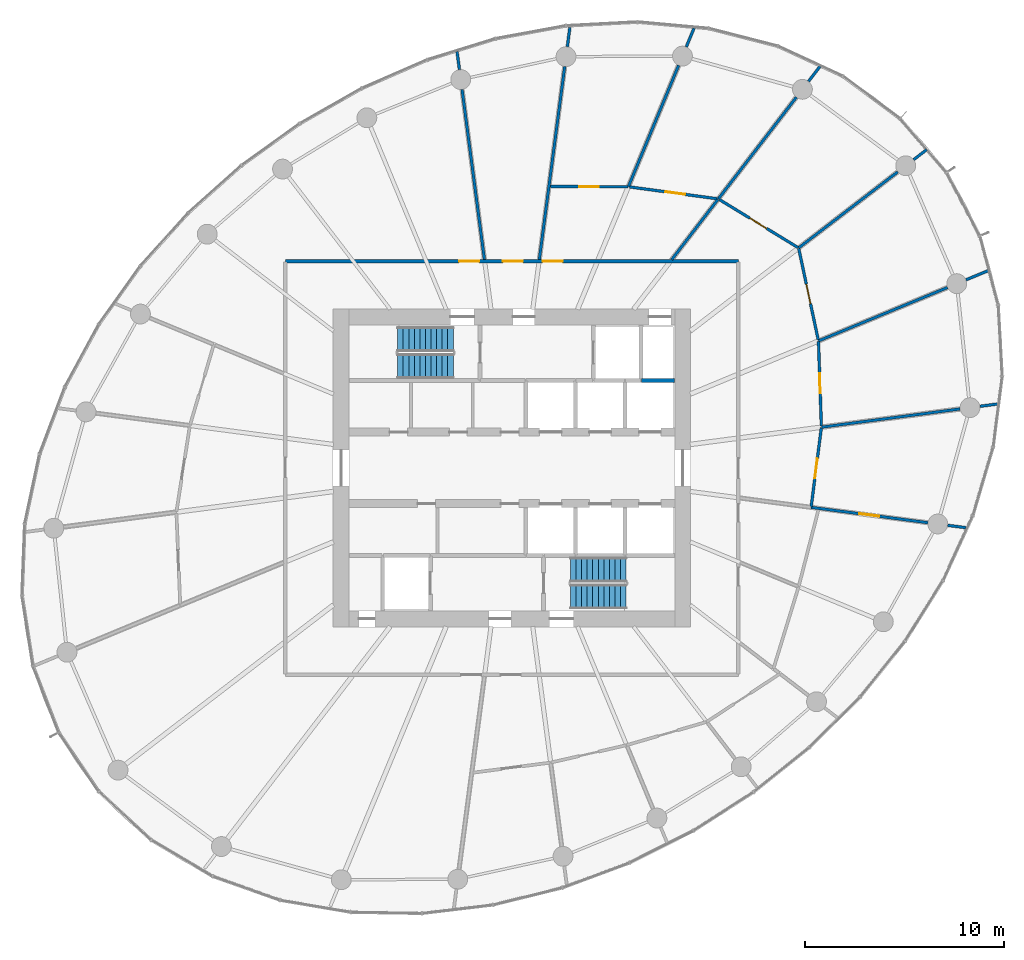
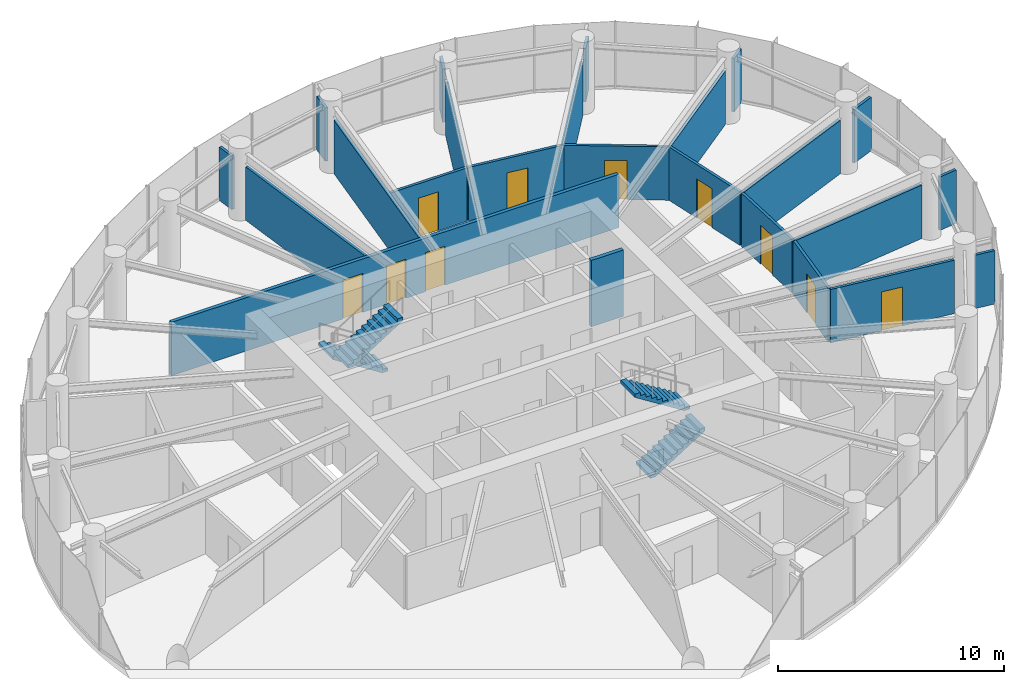
# One storey, part 11 of 14: 25 walls, 10 doors, 4 stair flights, 10 openings, 2 elements without a shape of their own.
"""IFC4 building model written with IfcOpenShell, lengths in metres."""

import ifcopenshell
import ifcopenshell.guid

model = None  # the IFC model being written
_history = None  # IfcOwnerHistory: only IFC2X3 demands one
_inside = {}  # id of a spatial element -> (the spatial element, [elements in it])
_under = {}  # id of a project, library or spatial element -> (it, [spatial elements below it])
_declared = {}  # id of a project -> (the project, [libraries it declares])
_typed = {}  # id of a type object -> (the type object, [elements of that type])
_made_of = {}  # id of a material, layer set ... -> (it, [elements and type objects made of it])


def new_model(schema):
    """Start an empty IFC model of exactly this schema.

    Asked for "IFC4X3", IfcOpenShell would pick the latest addendum, in which some entities
    have other attributes; the version numbers below select the first issue.
    IFC2X3 requires an IfcOwnerHistory on every rooted entity: one is made here for all.
    """
    global model, _history
    if schema == "IFC4X3":
        model = ifcopenshell.file(schema_version=(4, 3, 0, 0))
    else:
        model = ifcopenshell.file(schema=schema)
    _inside.clear()
    _under.clear()
    _declared.clear()
    _typed.clear()
    _made_of.clear()
    _history = None
    if model.schema == "IFC2X3":
        org = make("IfcOrganization", Name="unknown")
        user = make(
            "IfcPersonAndOrganization",
            ThePerson=make("IfcPerson", FamilyName="unknown"),
            TheOrganization=org,
        )
        app = make(
            "IfcApplication",
            ApplicationDeveloper=org,
            Version="unknown",
            ApplicationFullName="unknown",
            ApplicationIdentifier="unknown",
        )
        _history = make(
            "IfcOwnerHistory",
            OwningUser=user,
            OwningApplication=app,
            ChangeAction="ADDED",
            CreationDate=0,
        )
    return model


def make(cls, **values):
    """One entity of the class cls with the attributes given. An attribute that is None is left unset."""
    return model.create_entity(
        cls, **{name: value for name, value in values.items() if value is not None}
    )


def rooted(cls, **values):
    """An entity with a GlobalId (a new one), such as an element, a storey or a relation."""
    return make(cls, GlobalId=ifcopenshell.guid.new(), OwnerHistory=_history, **values)


def si_unit(unit_type, name, prefix=None):
    """IfcSIUnit, for example si_unit("LENGTHUNIT", "METRE", prefix="MILLI")."""
    return make("IfcSIUnit", UnitType=unit_type, Prefix=prefix, Name=name)


def assignment(units):
    """IfcUnitAssignment: the units of a project."""
    return None if units is None else make("IfcUnitAssignment", Units=units)


def point(xyz):
    """IfcCartesianPoint."""
    return None if xyz is None else make("IfcCartesianPoint", Coordinates=xyz)


def direction(xyz):
    """IfcDirection."""
    return None if xyz is None else make("IfcDirection", DirectionRatios=xyz)


def frame(location, z_axis=None, x_axis=None):
    """IfcAxis2Placement3D, a coordinate frame: its origin and axes. An axis left out is left unset."""
    return make(
        "IfcAxis2Placement3D",
        Location=point(location),
        Axis=direction(z_axis),
        RefDirection=direction(x_axis),
    )


def frame_2d(location, x_axis=None):
    """IfcAxis2Placement2D, a coordinate frame in the plane: its origin and x axis."""
    return make(
        "IfcAxis2Placement2D", Location=point(location), RefDirection=direction(x_axis)
    )


def origin():
    """The frame at (0, 0, 0) with its axes left unset."""
    return frame((0.0, 0.0, 0.0))


def place(relative_to, where):
    """IfcLocalPlacement: puts the frame where relative to a parent placement (None: the world)."""
    return make(
        "IfcLocalPlacement", PlacementRelTo=relative_to, RelativePlacement=where
    )


def context(
    kind, dimensions, precision=None, world=None, true_north=None, identifier=None
):
    """IfcGeometricRepresentationContext, for example the 3D "Model" context."""
    return make(
        "IfcGeometricRepresentationContext",
        ContextIdentifier=identifier,
        ContextType=kind,
        CoordinateSpaceDimension=dimensions,
        Precision=precision,
        WorldCoordinateSystem=world,
        TrueNorth=true_north,
    )


def subcontext(parent, identifier, kind, view, scale=None):
    """IfcGeometricRepresentationSubContext, for example "Body" below "Model"."""
    return make(
        "IfcGeometricRepresentationSubContext",
        ContextIdentifier=identifier,
        ContextType=kind,
        ParentContext=parent,
        TargetScale=scale,
        TargetView=view,
    )


def project(units=None, contexts=None):
    """IfcProject with its units and contexts."""
    return rooted(
        "IfcProject",
        Name="project",
        RepresentationContexts=contexts,
        UnitsInContext=assignment(units),
    )


def spatial(cls, under=None, at=None, **own):
    """A site, building, storey or space (cls), placed at a placement, below another one or the project."""
    s = rooted(cls, ObjectPlacement=at, **own)
    if under is not None:
        _under.setdefault(under.id(), (under, []))[1].append(s)
    return s


def point_list(points):
    """IfcCartesianPointList2D or 3D."""
    cls = (
        "IfcCartesianPointList2D" if len(points[0]) == 2 else "IfcCartesianPointList3D"
    )
    return make(cls, CoordList=points)


def line(*indices):
    """IfcLineIndex: a straight run through numbered points of an indexed curve."""
    return model.create_entity("IfcLineIndex", indices)


def indexed_curve(points, segments=None, self_intersect=None):
    """IfcIndexedPolyCurve: lines and arcs through numbered points (the first is 1)."""
    return make(
        "IfcIndexedPolyCurve",
        Points=point_list(points),
        Segments=segments,
        SelfIntersect=self_intersect,
    )


def profile(cls, at=None, kind="AREA", **sizes):
    """A parametric profile (cls). Its sizes go by their IFC names, for example OverallWidth=200.0."""
    return make(cls, ProfileType=kind, Position=at, **sizes)


def rectangle(**sizes):
    """IfcRectangleProfileDef."""
    return profile("IfcRectangleProfileDef", **sizes)


def outline(outer, holes=None, kind="AREA"):
    """IfcArbitraryClosedProfileDef: a profile drawn as a closed curve; with holes, ...WithVoids."""
    if holes is None:
        return make("IfcArbitraryClosedProfileDef", ProfileType=kind, OuterCurve=outer)
    return make(
        "IfcArbitraryProfileDefWithVoids",
        ProfileType=kind,
        OuterCurve=outer,
        InnerCurves=holes,
    )


def extrude(swept, where, along, depth):
    """IfcExtrudedAreaSolid: the profile swept, set in the frame where, extruded along a direction by depth."""
    return make(
        "IfcExtrudedAreaSolid",
        SweptArea=swept,
        Position=where,
        ExtrudedDirection=direction(along),
        Depth=depth,
    )


def shape(context_of_items, identifier, shape_type, items):
    """IfcShapeRepresentation: the items that make up one representation, for example the "Body"."""
    return make(
        "IfcShapeRepresentation",
        ContextOfItems=context_of_items,
        RepresentationIdentifier=identifier,
        RepresentationType=shape_type,
        Items=items,
    )


def source(mapping_origin, context_of_items, identifier, shape_type, items):
    """IfcRepresentationMap: a shape defined once, which mapped items show again and again."""
    return make(
        "IfcRepresentationMap",
        MappingOrigin=mapping_origin,
        MappedRepresentation=shape(context_of_items, identifier, shape_type, items),
    )


def transform(
    local_origin,
    x_axis=None,
    y_axis=None,
    z_axis=None,
    scale=None,
    scale2=None,
    scale3=None,
    uniform=True,
):
    """IfcCartesianTransformationOperator3D, or its non-uniform kind. x_axis, y_axis, z_axis: its Axis1, 2, 3."""
    if uniform:
        return make(
            "IfcCartesianTransformationOperator3D",
            Axis1=direction(x_axis),
            Axis2=direction(y_axis),
            LocalOrigin=point(local_origin),
            Scale=scale,
            Axis3=direction(z_axis),
        )
    return make(
        "IfcCartesianTransformationOperator3DnonUniform",
        Axis1=direction(x_axis),
        Axis2=direction(y_axis),
        LocalOrigin=point(local_origin),
        Scale=scale,
        Axis3=direction(z_axis),
        Scale2=scale2,
        Scale3=scale3,
    )


def mapped(mapping_source, mapping_target):
    """IfcMappedItem: shows the shape of a source again, moved by a transform."""
    return make(
        "IfcMappedItem", MappingSource=mapping_source, MappingTarget=mapping_target
    )


def material(Name=None, Category=None):
    """IfcMaterial."""
    return make("IfcMaterial", Name=Name, Category=Category)


def layer(
    of_material, thickness, ventilated=None, Name=None, Category=None, Priority=None
):
    """IfcMaterialLayer: one layer of a wall or slab, of a material (None: an air gap)."""
    return make(
        "IfcMaterialLayer",
        Material=of_material,
        LayerThickness=thickness,
        IsVentilated=ventilated,
        Name=Name,
        Category=Category,
        Priority=Priority,
    )


def layer_set(layers, Name=None):
    """IfcMaterialLayerSet."""
    return make("IfcMaterialLayerSet", MaterialLayers=layers, LayerSetName=Name)


def made_of(thing, what):
    """Note that an element or type object is made of a material, layer set ...; save() writes the relation."""
    if what is not None:
        _made_of.setdefault(what.id(), (what, []))[1].append(thing)
    return thing


def type_object(cls, material=None, **own):
    """A type object (cls), such as IfcWallType, which elements share."""
    return made_of(rooted(cls, **own), material)


def element(
    cls,
    number,
    at=None,
    inside=None,
    cuts=None,
    type_object=None,
    material=None,
    context=None,
    identifier="Body",
    shape_type=None,
    held_by="IfcProductDefinitionShape",
    body=None,
    shapes=None,
    **own,
):
    """One element of the class cls, such as IfcWall. Its Tag is "e" and its number.

    at: its placement. inside: the storey or other place that contains it. cuts: it is an
    opening in that element (IfcRelVoidsElement). A single representation is given by context,
    identifier, shape_type and body (its items); several are given by shapes. held_by: the class
    of the entity that holds the representations. save() writes the other relations.
    """
    e = rooted(cls, Tag="e%d" % number, ObjectPlacement=at, **own)
    if body is not None:
        shapes = [shape(context, identifier, shape_type, body)]
    if shapes is not None:
        e.Representation = make(held_by, Representations=shapes)
    if inside is not None:
        _inside.setdefault(inside.id(), (inside, []))[1].append(e)
    if cuts is not None:
        rooted(
            "IfcRelVoidsElement", RelatingBuildingElement=cuts, RelatedOpeningElement=e
        )
    if type_object is not None:
        _typed.setdefault(type_object.id(), (type_object, []))[1].append(e)
    return made_of(e, material)


def fill(opening, filler):
    """IfcRelFillsElement: the door or window that sits in an opening."""
    return rooted(
        "IfcRelFillsElement",
        RelatingOpeningElement=opening,
        RelatedBuildingElement=filler,
    )


def aggregate(whole, parts):
    """IfcRelAggregates: a whole, such as a stair, and the parts it consists of."""
    return rooted("IfcRelAggregates", RelatingObject=whole, RelatedObjects=parts)


def save(model, path):
    """Write the relations noted so far, then the file.

    IfcRelAggregates (storeys below a building ...), IfcRelContainedInSpatialStructure (elements
    in a storey), IfcRelDefinesByType, IfcRelAssociatesMaterial and IfcRelDeclares: one each for
    every whole, place, type object, material and project.
    """
    for whole, parts in _under.values():
        aggregate(whole, parts)
    for where, things in _inside.values():
        rooted(
            "IfcRelContainedInSpatialStructure",
            RelatedElements=things,
            RelatingStructure=where,
        )
    for kind, things in _typed.values():
        rooted("IfcRelDefinesByType", RelatedObjects=things, RelatingType=kind)
    for what, things in _made_of.values():
        rooted("IfcRelAssociatesMaterial", RelatedObjects=things, RelatingMaterial=what)
    for by, libraries in _declared.values():
        rooted("IfcRelDeclares", RelatingContext=by, RelatedDefinitions=libraries)
    model.write(path)


model = new_model("IFC4")

# Units and contexts
model_context = context("Model", 3, precision=1e-05, world=origin(), true_north=direction((0.0, 1.0)))
body_context = subcontext(model_context, "Body", "Model", "MODEL_VIEW")
ifc_project = project(units=[si_unit("LENGTHUNIT", "METRE"), si_unit("AREAUNIT", "SQUARE_METRE"), si_unit("VOLUMEUNIT", "CUBIC_METRE"), si_unit("PLANEANGLEUNIT", "RADIAN"), si_unit("MASSUNIT", "GRAM", prefix="KILO")], contexts=[model_context])

# Site, building, storey
site_placement = place(None, origin())
site = spatial("IfcSite", under=ifc_project, at=site_placement, CompositionType="ELEMENT")
building_placement = place(site_placement, origin())
building = spatial("IfcBuilding", under=site, at=building_placement, Name="Spindrift Exchange Tower", CompositionType="ELEMENT")
storey_placement = place(building_placement, frame((0.0, 0.0, 144.800048828125)))
storey = spatial("IfcBuildingStorey", under=building, at=storey_placement, Name="L34", CompositionType="ELEMENT", Elevation=144.800048828125)

# Wall, openings, doors
ifc_material_1 = material(Name="Fire-rated plasterboard partition", Category="gypsum")
ifc_layer_1 = layer(ifc_material_1, 0.179931640625)
ifc_layer_set_1 = layer_set([ifc_layer_1], Name="W-CORR-180")
wall_type_1 = type_object("IfcWallType", Name="W-CORR-180", PredefinedType="PARTITIONING", material=ifc_layer_set_1)
wall_1_placement = place(storey_placement, frame((40.60009765625, 58.39990234375, 0.0), z_axis=(0.0, 0.0, 1.0), x_axis=(1.0, 0.0, 0.0)))
wall_1 = element("IfcWall", 1, at=wall_1_placement, inside=storey, type_object=wall_type_1, Name="L34 Partition wall 27", PredefinedType="PARTITIONING", context=body_context, shape_type="SweptSolid", body=[
    extrude(rectangle(XDim=22.7998046875, YDim=0.179931640625, at=frame_2d((11.39990234375, 0.0))), origin(), (0.0, 0.0, 1.0), 2.8798828125),
])
opening_1_placement = place(wall_1_placement, frame((12.949951171875, 0.0, 0.0)))
opening_1 = element("IfcOpeningElement", 2, at=opening_1_placement, cuts=wall_1, Name="Opening L34-D27", PredefinedType="OPENING", context=body_context, shape_type="SweptSolid", body=[
    extrude(rectangle(XDim=1.0, YDim=2.10009765625, at=frame_2d((0.5, 1.050048828125))), frame((0.0, 0.099853515625, 0.0), z_axis=(0.0, -1.0, 0.0), x_axis=(1.0, 0.0, 0.0)), (0.0, 0.0, 1.0), 0.199951171875),
])
opening_2_placement = place(wall_1_placement, frame((10.949951171875, 0.0, 0.0)))
opening_2 = element("IfcOpeningElement", 3, at=opening_2_placement, cuts=wall_1, Name="Opening L34-D30", PredefinedType="OPENING", context=body_context, shape_type="SweptSolid", body=[
    extrude(rectangle(XDim=1.0, YDim=2.10009765625, at=frame_2d((0.5, 1.050048828125))), frame((0.0, 0.099853515625, 0.0), z_axis=(0.0, -1.0, 0.0), x_axis=(1.0, 0.0, 0.0)), (0.0, 0.0, 1.0), 0.199951171875),
])
opening_3_placement = place(wall_1_placement, frame((8.75, 0.0, 0.0)))
opening_3 = element("IfcOpeningElement", 4, at=opening_3_placement, cuts=wall_1, Name="Opening L34-D31", PredefinedType="OPENING", context=body_context, shape_type="SweptSolid", body=[
    extrude(rectangle(XDim=1.0, YDim=2.10009765625, at=frame_2d((0.5, 1.050048828125))), frame((0.0, 0.099853515625, 0.0), z_axis=(0.0, -1.0, 0.0), x_axis=(1.0, 0.0, 0.0)), (0.0, 0.0, 1.0), 0.199951171875),
])
ifc_material_2 = material(Name="Timber-core fire door", Category="wood")
door_type = type_object("IfcDoorType", Name="DR-ROOM-1000", OperationType="NOTDEFINED", PredefinedType="DOOR", material=ifc_material_2)
shared_shape = source(origin(), body_context, "Body", "SweptSolid", [
    extrude(rectangle(XDim=1.0, YDim=2.10009765625, at=frame_2d((0.5, 1.050048828125))), frame((0.0, 0.02490234375, 0.0), z_axis=(0.0, -1.0, 0.0), x_axis=(1.0, 0.0, 0.0)), (0.0, 0.0, 1.0), 0.050048828125),
])
door_1_placement = place(opening_1_placement, origin())
door_1 = element("IfcDoor", 5, at=door_1_placement, inside=storey, type_object=door_type, Name="L34 Door 27", OperationType="SINGLE_SWING_RIGHT", OverallHeight=2.10009765625, OverallWidth=1.0, PredefinedType="DOOR", context=body_context, shape_type="MappedRepresentation", body=[
    mapped(shared_shape, transform((0.0, 0.0, 0.0), scale=1.0)),
])
fill(opening_1, door_1)
door_2_placement = place(opening_2_placement, origin())
door_2 = element("IfcDoor", 6, at=door_2_placement, inside=storey, type_object=door_type, Name="L34 Door 30", OperationType="SINGLE_SWING_LEFT", OverallHeight=2.10009765625, OverallWidth=1.0, PredefinedType="DOOR", context=body_context, shape_type="MappedRepresentation", body=[
    mapped(shared_shape, transform((0.0, 0.0, 0.0), scale=1.0)),
])
fill(opening_2, door_2)
door_3_placement = place(opening_3_placement, origin())
door_3 = element("IfcDoor", 7, at=door_3_placement, inside=storey, type_object=door_type, Name="L34 Door 31", OperationType="SINGLE_SWING_RIGHT", OverallHeight=2.10009765625, OverallWidth=1.0, PredefinedType="DOOR", context=body_context, shape_type="MappedRepresentation", body=[
    mapped(shared_shape, transform((0.0, 0.0, 0.0), scale=1.0)),
])
fill(opening_3, door_3)

# Walls
ifc_layer_2 = layer(ifc_material_1, 0.139892578125)
ifc_layer_set_2 = layer_set([ifc_layer_2], Name="W-PART-140")
wall_type_2 = type_object("IfcWallType", Name="W-PART-140", PredefinedType="PARTITIONING", material=ifc_layer_set_2)
wall_2_placement = place(storey_placement, frame((54.66015625, 68.205078125, 0.0), z_axis=(0.0, 0.0, 1.0), x_axis=(-0.130529918789, -0.991444370755, 0.0)))
element("IfcWall", 8, at=wall_2_placement, inside=storey, type_object=wall_type_2, Name="L34 Partition wall 32", PredefinedType="PARTITIONING", context=body_context, shape_type="SweptSolid", body=[
    extrude(rectangle(XDim=9.798828125, YDim=0.139892578125, at=frame_2d((4.8994140625, 0.0))), origin(), (0.0, 0.0, 1.0), 2.8798828125),
])
wall_3_placement = place(storey_placement, frame((50.618896484375, 58.489990234375, 0.0), z_axis=(0.0, 0.0, 1.0), x_axis=(-0.130507901859, 0.991447269174, 0.0)))
element("IfcWall", 9, at=wall_3_placement, inside=storey, type_object=wall_type_2, Name="L34 Partition wall 33", PredefinedType="PARTITIONING", context=body_context, shape_type="SweptSolid", body=[
    extrude(rectangle(XDim=8.63525390625, YDim=0.139892578125, at=frame_2d((4.317626953125, 0.0))), origin(), (0.0, 0.0, 1.0), 2.8798828125),
])
wall_4_placement = place(storey_placement, frame((67.581787109375, 50.051513671875, 0.0), z_axis=(0.0, 0.0, 1.0), x_axis=(0.991449691786, 0.130489496352, 0.0)))
element("IfcWall", 10, at=wall_4_placement, inside=storey, type_object=wall_type_2, Name="L34 Partition wall 34", PredefinedType="PARTITIONING", context=body_context, shape_type="SweptSolid", body=[
    extrude(rectangle(XDim=7.04052734375, YDim=0.139892578125, at=frame_2d((3.520263671875, 0.0))), origin(), (0.0, 0.0, 1.0), 2.8798828125),
])
wall_5_placement = place(storey_placement, frame((67.43359375, 54.392822265625, 0.0), z_axis=(0.0, 0.0, 1.0), x_axis=(0.923882268554, 0.382676826907, 0.0)))
element("IfcWall", 11, at=wall_5_placement, inside=storey, type_object=wall_type_2, Name="L34 Partition wall 35", PredefinedType="PARTITIONING", context=body_context, shape_type="SweptSolid", body=[
    extrude(rectangle(XDim=7.03173828125, YDim=0.139892578125, at=frame_2d((3.515869140625, 0.0))), origin(), (0.0, 0.0, 1.0), 2.8798828125),
])
wall_6_placement = place(storey_placement, frame((57.86328125, 62.155517578125, 0.0), z_axis=(0.0, 0.0, 1.0), x_axis=(0.382700710287, 0.923872375572, 0.0)))
element("IfcWall", 12, at=wall_6_placement, inside=storey, type_object=wall_type_2, Name="L34 Partition wall 36", PredefinedType="PARTITIONING", context=body_context, shape_type="SweptSolid", body=[
    extrude(rectangle(XDim=6.6123046875, YDim=0.139892578125, at=frame_2d((3.30615234375, 0.0))), origin(), (0.0, 0.0, 1.0), 2.8798828125),
])
wall_7_placement = place(storey_placement, frame((62.39208984375, 61.543212890625, 0.0), z_axis=(0.0, 0.0, 1.0), x_axis=(0.608777226721, 0.793341218031, 0.0)))
element("IfcWall", 13, at=wall_7_placement, inside=storey, type_object=wall_type_2, Name="L34 Partition wall 37", PredefinedType="PARTITIONING", context=body_context, shape_type="SweptSolid", body=[
    extrude(rectangle(XDim=6.44873046875, YDim=0.139892578125, at=frame_2d((3.224365234375, 0.0))), origin(), (0.0, 0.0, 1.0), 2.8798828125),
])
wall_8_placement = place(storey_placement, frame((66.433837890625, 59.075439453125, 0.0), z_axis=(0.0, 0.0, 1.0), x_axis=(0.793363364339, 0.608748365193, 0.0)))
element("IfcWall", 14, at=wall_8_placement, inside=storey, type_object=wall_type_2, Name="L34 Partition wall 38", PredefinedType="PARTITIONING", context=body_context, shape_type="SweptSolid", body=[
    extrude(rectangle(XDim=6.292236328125, YDim=0.139892578125, at=frame_2d((3.14599609375, 0.0))), origin(), (0.0, 0.0, 1.0), 2.8798828125),
])

# Wall, opening, door
wall_9_placement = place(storey_placement, frame((72.94091796875, 45.2431640625, 0.0), z_axis=(0.0, 0.0, 1.0), x_axis=(-0.991450229477, 0.13048541095, 0.0)))
wall_9 = element("IfcWall", 15, at=wall_9_placement, inside=storey, type_object=wall_type_2, Name="L34 Partition wall 39", PredefinedType="PARTITIONING", context=body_context, shape_type="SweptSolid", body=[
    extrude(rectangle(XDim=5.927490234375, YDim=0.139892578125, at=frame_2d((2.9638671875, 0.0))), origin(), (0.0, 0.0, 1.0), 2.8798828125),
])
opening_4_placement = place(wall_9_placement, frame((2.477294921875, 0.0, 0.0)))
opening_4 = element("IfcOpeningElement", 16, at=opening_4_placement, cuts=wall_9, Name="Opening L34-D26", PredefinedType="OPENING", context=body_context, shape_type="SweptSolid", body=[
    extrude(rectangle(XDim=1.0, YDim=2.10009765625, at=frame_2d((0.5, 1.050048828125))), frame((0.0, 0.079833984375, 0.0), z_axis=(0.0, -1.0, 0.0), x_axis=(1.0, 0.0, 0.0)), (0.0, 0.0, 1.0), 0.159912109375),
])
door_4_placement = place(opening_4_placement, origin())
door_4 = element("IfcDoor", 17, at=door_4_placement, inside=storey, type_object=door_type, Name="L34 Door 26", OperationType="SINGLE_SWING_LEFT", OverallHeight=2.10009765625, OverallWidth=1.0, PredefinedType="DOOR", context=body_context, shape_type="MappedRepresentation", body=[
    mapped(shared_shape, transform((0.0, 0.0, 0.0), scale=1.0)),
])
fill(opening_4, door_4)

wall_10_placement = place(storey_placement, frame((66.440185546875, 59.046142578125, 0.0), z_axis=(0.0, 0.0, 1.0), x_axis=(0.208821144004, -0.977953848511, 0.0)))
wall_10 = element("IfcWall", 18, at=wall_10_placement, inside=storey, type_object=wall_type_2, Name="L34 Partition wall 43", PredefinedType="PARTITIONING", context=body_context, shape_type="SweptSolid", body=[
    extrude(rectangle(XDim=4.68701171875, YDim=0.139892578125, at=frame_2d((2.343505859375, 0.0))), origin(), (0.0, 0.0, 1.0), 2.8798828125),
])
opening_5_placement = place(wall_10_placement, frame((1.837158203125, 0.0, 0.0)))
opening_5 = element("IfcOpeningElement", 19, at=opening_5_placement, cuts=wall_10, Name="Opening L34-D24", PredefinedType="OPENING", context=body_context, shape_type="SweptSolid", body=[
    extrude(rectangle(XDim=1.0, YDim=2.10009765625, at=frame_2d((0.5, 1.050048828125))), frame((0.0, 0.079833984375, 0.0), z_axis=(0.0, -1.0, 0.0), x_axis=(1.0, 0.0, 0.0)), (0.0, 0.0, 1.0), 0.159912109375),
])
door_5_placement = place(opening_5_placement, origin())
door_5 = element("IfcDoor", 20, at=door_5_placement, inside=storey, type_object=door_type, Name="L34 Door 24", OperationType="SINGLE_SWING_LEFT", OverallHeight=2.10009765625, OverallWidth=1.0, PredefinedType="DOOR", context=body_context, shape_type="MappedRepresentation", body=[
    mapped(shared_shape, transform((0.0, 0.0, 0.0), scale=1.0)),
])
fill(opening_5, door_5)

wall_11_placement = place(storey_placement, frame((62.4521484375, 61.506591796875, 0.0), z_axis=(0.0, 0.0, 1.0), x_axis=(0.853479672846, -0.521126134481, 0.0)))
wall_11 = element("IfcWall", 21, at=wall_11_placement, inside=storey, type_object=wall_type_2, Name="L34 Partition wall 45", PredefinedType="PARTITIONING", context=body_context, shape_type="SweptSolid", body=[
    extrude(rectangle(XDim=4.63525390625, YDim=0.139892578125, at=frame_2d((2.317626953125, 0.0))), origin(), (0.0, 0.0, 1.0), 2.8798828125),
])
opening_6_placement = place(wall_11_placement, frame((1.78515625, 0.0, 0.0)))
opening_6 = element("IfcOpeningElement", 22, at=opening_6_placement, cuts=wall_11, Name="Opening L34-D25", PredefinedType="OPENING", context=body_context, shape_type="SweptSolid", body=[
    extrude(rectangle(XDim=1.0, YDim=2.10009765625, at=frame_2d((0.5, 1.050048828125))), frame((0.0, 0.079833984375, 0.0), z_axis=(0.0, -1.0, 0.0), x_axis=(1.0, 0.0, 0.0)), (0.0, 0.0, 1.0), 0.159912109375),
])
door_6_placement = place(opening_6_placement, origin())
door_6 = element("IfcDoor", 23, at=door_6_placement, inside=storey, type_object=door_type, Name="L34 Door 25", OperationType="SINGLE_SWING_RIGHT", OverallHeight=2.10009765625, OverallWidth=1.0, PredefinedType="DOOR", context=body_context, shape_type="MappedRepresentation", body=[
    mapped(shared_shape, transform((0.0, 0.0, 0.0), scale=1.0)),
])
fill(opening_6, door_6)

wall_12_placement = place(storey_placement, frame((57.935302734375, 62.145751953125, 0.0), z_axis=(0.0, 0.0, 1.0), x_axis=(0.990988117401, -0.133949808402, 0.0)))
wall_12 = element("IfcWall", 24, at=wall_12_placement, inside=storey, type_object=wall_type_2, Name="L34 Partition wall 47", PredefinedType="PARTITIONING", context=body_context, shape_type="SweptSolid", body=[
    extrude(rectangle(XDim=4.46728515625, YDim=0.139892578125, at=frame_2d((2.233642578125, 0.0))), origin(), (0.0, 0.0, 1.0), 2.8798828125),
])
opening_7_placement = place(wall_12_placement, frame((1.8173828125, 0.0, 0.0)))
opening_7 = element("IfcOpeningElement", 25, at=opening_7_placement, cuts=wall_12, Name="Opening L34-D28", PredefinedType="OPENING", context=body_context, shape_type="SweptSolid", body=[
    extrude(rectangle(XDim=1.0, YDim=2.10009765625, at=frame_2d((0.5, 1.050048828125))), frame((0.0, 0.079833984375, 0.0), z_axis=(0.0, -1.0, 0.0), x_axis=(1.0, 0.0, 0.0)), (0.0, 0.0, 1.0), 0.159912109375),
])
door_7_placement = place(opening_7_placement, origin())
door_7 = element("IfcDoor", 26, at=door_7_placement, inside=storey, type_object=door_type, Name="L34 Door 28", OperationType="SINGLE_SWING_LEFT", OverallHeight=2.10009765625, OverallWidth=1.0, PredefinedType="DOOR", context=body_context, shape_type="MappedRepresentation", body=[
    mapped(shared_shape, transform((0.0, 0.0, 0.0), scale=1.0)),
])
fill(opening_7, door_7)

wall_13_placement = place(storey_placement, frame((67.434814453125, 54.36279296875, 0.0), z_axis=(0.0, 0.0, 1.0), x_axis=(0.034058056345, -0.999419856116, 0.0)))
wall_13 = element("IfcWall", 27, at=wall_13_placement, inside=storey, type_object=wall_type_2, Name="L34 Partition wall 50", PredefinedType="PARTITIONING", context=body_context, shape_type="SweptSolid", body=[
    extrude(rectangle(XDim=4.24365234375, YDim=0.139892578125, at=frame_2d((2.121826171875, 0.0))), origin(), (0.0, 0.0, 1.0), 2.8798828125),
])
opening_8_placement = place(wall_13_placement, frame((1.59375, 0.0, 0.0)))
opening_8 = element("IfcOpeningElement", 28, at=opening_8_placement, cuts=wall_13, Name="Opening L34-D23", PredefinedType="OPENING", context=body_context, shape_type="SweptSolid", body=[
    extrude(rectangle(XDim=1.0, YDim=2.10009765625, at=frame_2d((0.5, 1.050048828125))), frame((0.0, 0.079833984375, 0.0), z_axis=(0.0, -1.0, 0.0), x_axis=(1.0, 0.0, 0.0)), (0.0, 0.0, 1.0), 0.159912109375),
])
door_8_placement = place(opening_8_placement, origin())
door_8 = element("IfcDoor", 29, at=door_8_placement, inside=storey, type_object=door_type, Name="L34 Door 23", OperationType="SINGLE_SWING_RIGHT", OverallHeight=2.10009765625, OverallWidth=1.0, PredefinedType="DOOR", context=body_context, shape_type="MappedRepresentation", body=[
    mapped(shared_shape, transform((0.0, 0.0, 0.0), scale=1.0)),
])
fill(opening_8, door_8)

wall_14_placement = place(storey_placement, frame((67.577880859375, 50.021484375, 0.0), z_axis=(0.0, 0.0, 1.0), x_axis=(-0.127198124576, -0.991877329666, 0.0)))
wall_14 = element("IfcWall", 30, at=wall_14_placement, inside=storey, type_object=wall_type_2, Name="L34 Partition wall 56", PredefinedType="PARTITIONING", context=body_context, shape_type="SweptSolid", body=[
    extrude(rectangle(XDim=4.007568359375, YDim=0.139892578125, at=frame_2d((2.00390625, 0.0))), origin(), (0.0, 0.0, 1.0), 2.8798828125),
])
opening_9_placement = place(wall_14_placement, frame((1.5576171875, 0.0, 0.0)))
opening_9 = element("IfcOpeningElement", 31, at=opening_9_placement, cuts=wall_14, Name="Opening L34-D22", PredefinedType="OPENING", context=body_context, shape_type="SweptSolid", body=[
    extrude(rectangle(XDim=1.0, YDim=2.10009765625, at=frame_2d((0.5, 1.050048828125))), frame((0.0, 0.079833984375, 0.0), z_axis=(0.0, -1.0, 0.0), x_axis=(1.0, 0.0, 0.0)), (0.0, 0.0, 1.0), 0.159912109375),
])
door_9_placement = place(opening_9_placement, origin())
door_9 = element("IfcDoor", 32, at=door_9_placement, inside=storey, type_object=door_type, Name="L34 Door 22", OperationType="SINGLE_SWING_LEFT", OverallHeight=2.10009765625, OverallWidth=1.0, PredefinedType="DOOR", context=body_context, shape_type="MappedRepresentation", body=[
    mapped(shared_shape, transform((0.0, 0.0, 0.0), scale=1.0)),
])
fill(opening_9, door_9)

wall_15_placement = place(storey_placement, frame((53.93603515625, 62.16943359375, 0.0), z_axis=(0.0, 0.0, 1.0), x_axis=(0.999993625705, -0.003570510941, 0.0)))
wall_15 = element("IfcWall", 33, at=wall_15_placement, inside=storey, type_object=wall_type_2, Name="L34 Partition wall 58", PredefinedType="PARTITIONING", context=body_context, shape_type="SweptSolid", body=[
    extrude(rectangle(XDim=3.8974609375, YDim=0.139892578125, at=frame_2d((1.94873046875, 0.0))), origin(), (0.0, 0.0, 1.0), 2.8798828125),
])
opening_10_placement = place(wall_15_placement, frame((1.447509765625, 0.0, 0.0)))
opening_10 = element("IfcOpeningElement", 34, at=opening_10_placement, cuts=wall_15, Name="Opening L34-D29", PredefinedType="OPENING", context=body_context, shape_type="SweptSolid", body=[
    extrude(rectangle(XDim=1.0, YDim=2.10009765625, at=frame_2d((0.5, 1.050048828125))), frame((0.0, 0.079833984375, 0.0), z_axis=(0.0, -1.0, 0.0), x_axis=(1.0, 0.0, 0.0)), (0.0, 0.0, 1.0), 0.159912109375),
])
door_10_placement = place(opening_10_placement, origin())
door_10 = element("IfcDoor", 35, at=door_10_placement, inside=storey, type_object=door_type, Name="L34 Door 29", OperationType="SINGLE_SWING_RIGHT", OverallHeight=2.10009765625, OverallWidth=1.0, PredefinedType="DOOR", context=body_context, shape_type="MappedRepresentation", body=[
    mapped(shared_shape, transform((0.0, 0.0, 0.0), scale=1.0)),
])
fill(opening_10, door_10)

# Walls
wall_16_placement = place(storey_placement, frame((60.04931640625, 58.489990234375, 0.0), z_axis=(0.0, 0.0, 1.0), x_axis=(0.608730820987, 0.793376825714, 0.0)))
element("IfcWall", 36, at=wall_16_placement, inside=storey, type_object=wall_type_2, Name="L34 Partition wall 59", PredefinedType="PARTITIONING", context=body_context, shape_type="SweptSolid", body=[
    extrude(rectangle(XDim=3.818603515625, YDim=0.139892578125, at=frame_2d((1.9091796875, 0.0))), origin(), (0.0, 0.0, 1.0), 2.8798828125),
])
wall_17_placement = place(storey_placement, frame((74.86328125, 57.47021484375, 0.0), z_axis=(0.0, 0.0, 1.0), x_axis=(0.923857958789, 0.382735511786, 0.0)))
element("IfcWall", 37, at=wall_17_placement, inside=storey, type_object=wall_type_2, Name="L34 Partition wall 73", PredefinedType="PARTITIONING", context=body_context, shape_type="SweptSolid", body=[
    extrude(rectangle(XDim=1.236328125, YDim=0.139892578125, at=frame_2d((0.6181640625, 0.0))), origin(), (0.0, 0.0, 1.0), 2.8798828125),
])
wall_18_placement = place(storey_placement, frame((60.7802734375, 69.197509765625, 0.0), z_axis=(0.0, 0.0, 1.0), x_axis=(0.382634824807, 0.923899664923, 0.0)))
element("IfcWall", 38, at=wall_18_placement, inside=storey, type_object=wall_type_2, Name="L34 Partition wall 74", PredefinedType="PARTITIONING", context=body_context, shape_type="SweptSolid", body=[
    extrude(rectangle(XDim=1.015869140625, YDim=0.139892578125, at=frame_2d((0.5078125, 0.0))), origin(), (0.0, 0.0, 1.0), 2.8798828125),
])
wall_19_placement = place(storey_placement, frame((54.791748046875, 69.205322265625, 0.0), z_axis=(0.0, 0.0, 1.0), x_axis=(0.130537967858, 0.991443311011, 0.0)))
element("IfcWall", 39, at=wall_19_placement, inside=storey, type_object=wall_type_2, Name="L34 Partition wall 75", PredefinedType="PARTITIONING", context=body_context, shape_type="SweptSolid", body=[
    extrude(rectangle(XDim=0.983642578125, YDim=0.139892578125, at=frame_2d((0.49169921875, 0.0))), origin(), (0.0, 0.0, 1.0), 2.8798828125),
])
wall_20_placement = place(storey_placement, frame((66.931884765625, 67.459716796875, 0.0), z_axis=(0.0, 0.0, 1.0), x_axis=(0.608777912974, 0.793340691428, 0.0)))
element("IfcWall", 40, at=wall_20_placement, inside=storey, type_object=wall_type_2, Name="L34 Partition wall 77", PredefinedType="PARTITIONING", context=body_context, shape_type="SweptSolid", body=[
    extrude(rectangle(XDim=0.961669921875, YDim=0.139892578125, at=frame_2d((0.48095703125, 0.0))), origin(), (0.0, 0.0, 1.0), 2.8798828125),
])
wall_21_placement = place(storey_placement, frame((73.941162109375, 45.111328125, 0.0), z_axis=(0.0, 0.0, 1.0), x_axis=(0.991463350104, -0.130385679429, 0.0)))
element("IfcWall", 41, at=wall_21_placement, inside=storey, type_object=wall_type_2, Name="L34 Partition wall 79", PredefinedType="PARTITIONING", context=body_context, shape_type="SweptSolid", body=[
    extrude(rectangle(XDim=0.91748046875, YDim=0.139892578125, at=frame_2d((0.458740234375, 0.0))), origin(), (0.0, 0.0, 1.0), 2.8798828125),
])
wall_22_placement = place(storey_placement, frame((75.56201171875, 51.10205078125, 0.0), z_axis=(0.0, 0.0, 1.0), x_axis=(0.991464295553, 0.130378489957, 0.0)))
element("IfcWall", 42, at=wall_22_placement, inside=storey, type_object=wall_type_2, Name="L34 Partition wall 80", PredefinedType="PARTITIONING", context=body_context, shape_type="SweptSolid", body=[
    extrude(rectangle(XDim=0.913818359375, YDim=0.139892578125, at=frame_2d((0.45703125, 0.0))), origin(), (0.0, 0.0, 1.0), 2.8798828125),
])
wall_23_placement = place(storey_placement, frame((49.360107421875, 68.051513671875, 0.0), z_axis=(0.0, 0.0, 1.0), x_axis=(-0.130461442277, 0.991453383714, 0.0)))
element("IfcWall", 43, at=wall_23_placement, inside=storey, type_object=wall_type_2, Name="L34 Partition wall 83", PredefinedType="PARTITIONING", context=body_context, shape_type="SweptSolid", body=[
    extrude(rectangle(XDim=0.911376953125, YDim=0.139892578125, at=frame_2d((0.45556640625, 0.0))), origin(), (0.0, 0.0, 1.0), 2.8798828125),
])
wall_24_placement = place(storey_placement, frame((72.22607421875, 63.52001953125, 0.0), z_axis=(0.0, 0.0, 1.0), x_axis=(0.793349194644, 0.608766831684, 0.0)))
element("IfcWall", 44, at=wall_24_placement, inside=storey, type_object=wall_type_2, Name="L34 Partition wall 87", PredefinedType="PARTITIONING", context=body_context, shape_type="SweptSolid", body=[
    extrude(rectangle(XDim=0.825439453125, YDim=0.139892578125, at=frame_2d((0.41259765625, 0.0))), origin(), (0.0, 0.0, 1.0), 2.8798828125),
])
ifc_material_3 = material(Name="Concrete 40 MPa", Category="concrete")
ifc_layer_3 = layer(ifc_material_3, 0.199951171875)
ifc_layer_set_3 = layer_set([ifc_layer_3], Name="W-SHAFT-200")
wall_type_3 = type_object("IfcWallType", Name="W-SHAFT-200", PredefinedType="SOLIDWALL", material=ifc_layer_set_3)
wall_25_placement = place(storey_placement, frame((60.179931640625, 52.39990234375, 0.0), z_axis=(0.0, 0.0, 1.0), x_axis=(-1.0, 0.0, 0.0)))
element("IfcWall", 45, at=wall_25_placement, inside=storey, type_object=wall_type_3, Name="L34 Shaft wall 21", PredefinedType="SOLIDWALL", context=body_context, shape_type="SweptSolid", body=[
    extrude(rectangle(XDim=1.64990234375, YDim=0.199951171875, at=frame_2d((0.824951171875, 0.0))), origin(), (0.0, 0.0, 1.0), 3.579833984375),
])

# Stair, stair flights
ifc_material_4 = material(Name="Concrete 50 MPa", Category="concrete")
stair_type = type_object("IfcStairType", Name="ST-1250-R177", PredefinedType="HALF_TURN_STAIR", material=ifc_material_4)
stair_1_placement = place(storey_placement, origin())
stair_1 = element("IfcStair", 46, at=stair_1_placement, inside=storey, type_object=stair_type, Name="L34 Exit stair ST1", PredefinedType="HALF_TURN_STAIR")
stair_flight_type = type_object("IfcStairFlightType", Name="STF-1250-R177", PredefinedType="STRAIGHT", material=ifc_material_4)
stair_flight_1_placement = place(storey_placement, frame((49.050048828125, 54.47509765625, 0.0), z_axis=(0.0, 0.0, 1.0), x_axis=(-1.0, 0.0, 0.0)))
stair_flight_1 = element("IfcStairFlight", 47, at=stair_flight_1_placement, type_object=stair_flight_type, Name="ST1 flight 1", NumberOfRisers=11, NumberOfTreads=10, PredefinedType="STRAIGHT", RiserHeight=0.177272727, TreadLength=0.28, context=body_context, shape_type="SweptSolid", body=[
    extrude(outline(indexed_curve([(0.0, 0.0), (0.0, 0.177734375), (0.2802734375, 0.177734375), (0.2802734375, 0.3544921875), (0.5595703125, 0.3544921875), (0.5595703125, 0.5322265625), (0.83984375, 0.5322265625), (0.83984375, 0.708984375), (1.1201171875, 0.708984375), (1.1201171875, 0.88671875), (1.400390625, 0.88671875), (1.400390625, 1.0634765625), (1.6796875, 1.0634765625), (1.6796875, 1.2412109375), (1.9599609375, 1.2412109375), (1.9599609375, 1.41796875), (2.240234375, 1.41796875), (2.240234375, 1.595703125), (2.51953125, 1.595703125), (2.51953125, 1.7724609375), (2.7998046875, 1.7724609375), (2.7998046875, 1.9501953125), (2.7998046875, 1.595703125), (0.2802734375, 0.0)], segments=[line(1, 2, 3, 4, 5, 6, 7, 8, 9, 10, 11, 12, 13, 14, 15, 16, 17, 18, 19, 20, 21, 22, 23, 24, 1)], self_intersect=False)), frame((0.0, 0.625, 0.0), z_axis=(0.0, -1.0, 0.0), x_axis=(1.0, 0.0, 0.0)), (0.0, 0.0, 1.0), 1.25),
])
stair_flight_2_placement = place(storey_placement, frame((46.25, 53.125, 1.949951171875), z_axis=(0.0, 0.0, 1.0), x_axis=(1.0, 0.0, 0.0)))
stair_flight_2 = element("IfcStairFlight", 48, at=stair_flight_2_placement, type_object=stair_flight_type, Name="ST1 flight 2", NumberOfRisers=11, NumberOfTreads=10, PredefinedType="STRAIGHT", RiserHeight=0.177272727, TreadLength=0.28, context=body_context, shape_type="SweptSolid", body=[
    extrude(outline(indexed_curve([(0.0, 0.0), (0.0, 0.177734375), (0.2802734375, 0.177734375), (0.2802734375, 0.3544921875), (0.5595703125, 0.3544921875), (0.5595703125, 0.5322265625), (0.83984375, 0.5322265625), (0.83984375, 0.708984375), (1.1201171875, 0.708984375), (1.1201171875, 0.88671875), (1.400390625, 0.88671875), (1.400390625, 1.0634765625), (1.6796875, 1.0634765625), (1.6796875, 1.2412109375), (1.9599609375, 1.2412109375), (1.9599609375, 1.41796875), (2.240234375, 1.41796875), (2.240234375, 1.595703125), (2.51953125, 1.595703125), (2.51953125, 1.7724609375), (2.7998046875, 1.7724609375), (2.7998046875, 1.9501953125), (2.7998046875, 1.595703125), (0.2802734375, 0.0)], segments=[line(1, 2, 3, 4, 5, 6, 7, 8, 9, 10, 11, 12, 13, 14, 15, 16, 17, 18, 19, 20, 21, 22, 23, 24, 1)], self_intersect=False)), frame((0.0, 0.625, 0.0), z_axis=(0.0, -1.0, 0.0), x_axis=(1.0, 0.0, 0.0)), (0.0, 0.0, 1.0), 1.25),
])
aggregate(stair_1, [stair_flight_1, stair_flight_2])

stair_2_placement = place(storey_placement, origin())
stair_2 = element("IfcStair", 49, at=stair_2_placement, inside=storey, type_object=stair_type, Name="L34 Exit stair ST2", PredefinedType="HALF_TURN_STAIR")
stair_flight_3_placement = place(storey_placement, frame((54.949951171875, 41.52490234375, 0.0), z_axis=(0.0, 0.0, 1.0), x_axis=(1.0, 0.0, 0.0)))
stair_flight_3 = element("IfcStairFlight", 50, at=stair_flight_3_placement, type_object=stair_flight_type, Name="ST2 flight 1", NumberOfRisers=11, NumberOfTreads=10, PredefinedType="STRAIGHT", RiserHeight=0.177272727, TreadLength=0.28, context=body_context, shape_type="SweptSolid", body=[
    extrude(outline(indexed_curve([(0.0, 0.0), (0.0, 0.177734375), (0.2802734375, 0.177734375), (0.2802734375, 0.3544921875), (0.5595703125, 0.3544921875), (0.5595703125, 0.5322265625), (0.83984375, 0.5322265625), (0.83984375, 0.708984375), (1.1201171875, 0.708984375), (1.1201171875, 0.88671875), (1.400390625, 0.88671875), (1.400390625, 1.0634765625), (1.6796875, 1.0634765625), (1.6796875, 1.2412109375), (1.9599609375, 1.2412109375), (1.9599609375, 1.41796875), (2.240234375, 1.41796875), (2.240234375, 1.595703125), (2.51953125, 1.595703125), (2.51953125, 1.7724609375), (2.7998046875, 1.7724609375), (2.7998046875, 1.9501953125), (2.7998046875, 1.595703125), (0.2802734375, 0.0)], segments=[line(1, 2, 3, 4, 5, 6, 7, 8, 9, 10, 11, 12, 13, 14, 15, 16, 17, 18, 19, 20, 21, 22, 23, 24, 1)], self_intersect=False)), frame((0.0, 0.625, 0.0), z_axis=(0.0, -1.0, 0.0), x_axis=(1.0, 0.0, 0.0)), (0.0, 0.0, 1.0), 1.25),
])
stair_flight_4_placement = place(storey_placement, frame((57.75, 42.875, 1.949951171875), z_axis=(0.0, 0.0, 1.0), x_axis=(-1.0, 0.0, 0.0)))
stair_flight_4 = element("IfcStairFlight", 51, at=stair_flight_4_placement, type_object=stair_flight_type, Name="ST2 flight 2", NumberOfRisers=11, NumberOfTreads=10, PredefinedType="STRAIGHT", RiserHeight=0.177272727, TreadLength=0.28, context=body_context, shape_type="SweptSolid", body=[
    extrude(outline(indexed_curve([(0.0, 0.0), (0.0, 0.177734375), (0.2802734375, 0.177734375), (0.2802734375, 0.3544921875), (0.5595703125, 0.3544921875), (0.5595703125, 0.5322265625), (0.83984375, 0.5322265625), (0.83984375, 0.708984375), (1.1201171875, 0.708984375), (1.1201171875, 0.88671875), (1.400390625, 0.88671875), (1.400390625, 1.0634765625), (1.6796875, 1.0634765625), (1.6796875, 1.2412109375), (1.9599609375, 1.2412109375), (1.9599609375, 1.41796875), (2.240234375, 1.41796875), (2.240234375, 1.595703125), (2.51953125, 1.595703125), (2.51953125, 1.7724609375), (2.7998046875, 1.7724609375), (2.7998046875, 1.9501953125), (2.7998046875, 1.595703125), (0.2802734375, 0.0)], segments=[line(1, 2, 3, 4, 5, 6, 7, 8, 9, 10, 11, 12, 13, 14, 15, 16, 17, 18, 19, 20, 21, 22, 23, 24, 1)], self_intersect=False)), frame((0.0, 0.625, 0.0), z_axis=(0.0, -1.0, 0.0), x_axis=(1.0, 0.0, 0.0)), (0.0, 0.0, 1.0), 1.25),
])
aggregate(stair_2, [stair_flight_3, stair_flight_4])

save(model, "model.ifc")
